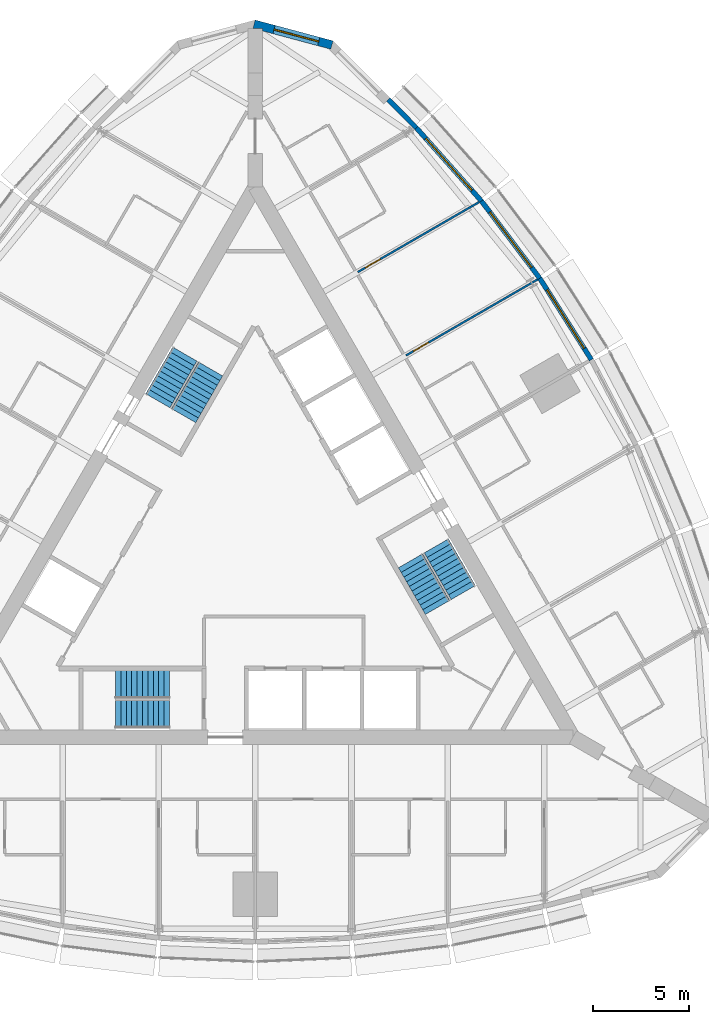
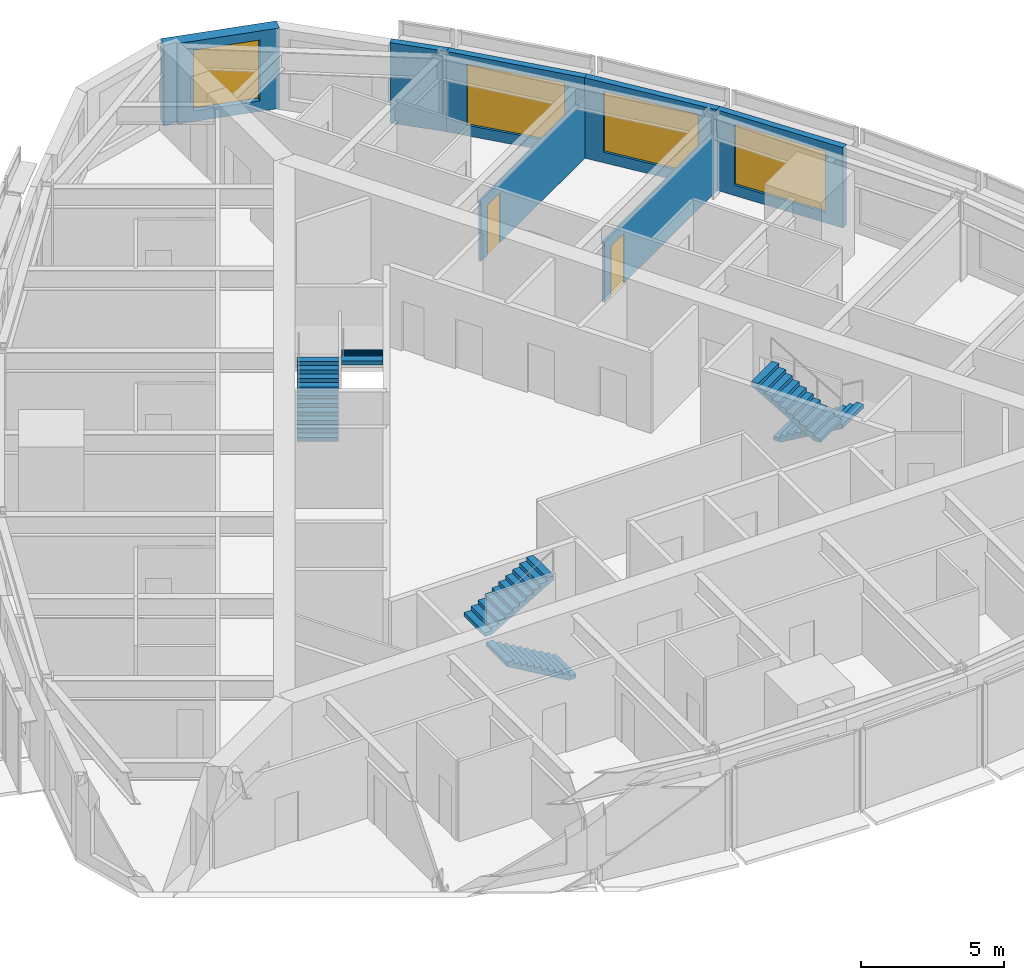
# One storey, part 14 of 15: 7 walls, 6 stair flights, 4 windows, 2 doors, 6 openings, 3 elements without a shape of their own.
"""IFC4 building model written with IfcOpenShell, lengths in metres."""

from ifc_helpers import new_model, si_unit, direction, frame, frame_2d, origin, place, context, subcontext, project, spatial, polyline, rectangle, outline, extrude, material, layer, layer_set, type_object, element, fill, aggregate, save


model = new_model("IFC4")

# Units and contexts
model_context = context("Model", 3, precision=1e-05, world=origin(), true_north=direction((0.0, 1.0)))
body_context = subcontext(model_context, "Body", "Model", "MODEL_VIEW")
ifc_project = project(units=[si_unit("LENGTHUNIT", "METRE"), si_unit("AREAUNIT", "SQUARE_METRE"), si_unit("VOLUMEUNIT", "CUBIC_METRE"), si_unit("PLANEANGLEUNIT", "RADIAN"), si_unit("MASSUNIT", "GRAM", prefix="KILO")], contexts=[model_context])

# Site, building, storey
site_placement = place(None, origin())
site = spatial("IfcSite", under=ifc_project, at=site_placement, CompositionType="ELEMENT")
building_placement = place(site_placement, origin())
building = spatial("IfcBuilding", under=site, at=building_placement, Name="Trikona Tower", CompositionType="ELEMENT")
storey_placement = place(building_placement, frame((0.0, 0.0, 222.5)))
storey = spatial("IfcBuildingStorey", under=building, at=storey_placement, Name="L59", CompositionType="ELEMENT", Elevation=222.5)

# Wall, opening, window
ifc_material_1 = material(Name="Brick-faced precast concrete", Category="masonry")
ifc_layer_1 = layer(ifc_material_1, 0.449951171875)
ifc_layer_set_1 = layer_set([ifc_layer_1], Name="Brick-faced corner wall 450")
wall_type_1 = type_object("IfcWallType", Name="Brick-faced corner wall 450", PredefinedType="SOLIDWALL", material=ifc_layer_set_1)
wall_1_placement = place(storey_placement, frame((3.9833984375, 26.41259765625, 0.0), z_axis=(0.0, 0.0, 1.0), x_axis=(-0.965920442324, 0.258839137498, 0.0)))
wall_1 = element("IfcWall", 1, at=wall_1_placement, inside=storey, type_object=wall_type_1, Name="External wall L59-21", PredefinedType="SOLIDWALL", context=body_context, shape_type="SweptSolid", body=[
    extrude(outline(polyline([(4.18408203125, 0.22509765625), (4.124267578125, 0.22509765625), (3.70556640625, 0.11279296875), (3.675537109375, 0.22509765625), (0.0, 0.22509765625), (0.0, -0.22509765625), (4.18408203125, -0.22509765625), (4.18408203125, 0.22509765625)])), origin(), (0.0, 0.0, 1.0), 3.43505859375),
])
opening_1_placement = place(wall_1_placement, frame((0.712646484375, 0.0, 0.449951171875)))
opening_1 = element("IfcOpeningElement", 2, at=opening_1_placement, cuts=wall_1, Name="Opening W2426", PredefinedType="OPENING", context=body_context, shape_type="SweptSolid", body=[
    extrude(rectangle(XDim=2.39990234375, YDim=2.60009765625, at=frame_2d((1.199951171875, 1.300048828125))), frame((0.0, 0.23486328125, 0.0), z_axis=(0.0, -1.0, 0.0), x_axis=(1.0, 0.0, 0.0)), (0.0, 0.0, 1.0), 0.469970703125),
])
ifc_material_2 = material(Name="Aluminium-framed double glazing", Category="aluminium")
window_type_1 = type_object("IfcWindowType", Name="Window 2400x2600", PartitioningType="SINGLE_PANEL", PredefinedType="WINDOW", material=ifc_material_2)
window_1_placement = place(opening_1_placement, origin())
window_1 = element("IfcWindow", 3, at=window_1_placement, inside=storey, type_object=window_type_1, Name="Window 5908", OverallHeight=2.60009765625, OverallWidth=2.39990234375, PartitioningType="SINGLE_PANEL", PredefinedType="WINDOW", context=body_context, shape_type="SweptSolid", body=[
    extrude(rectangle(XDim=2.39990234375, YDim=2.60009765625, at=frame_2d((1.199951171875, 1.300048828125))), frame((0.0, 0.030029296875, 0.0), z_axis=(0.0, -1.0, 0.0), x_axis=(1.0, 0.0, 0.0)), (0.0, 0.0, 1.0), 0.06005859375),
])
fill(opening_1, window_1)

ifc_material_3 = material(Name="Insulated precast concrete spandrel panel", Category="concrete")
ifc_layer_2 = layer(ifc_material_3, 0.25)
ifc_layer_set_2 = layer_set([ifc_layer_2], Name="Inner skin wall 250")
wall_type_2 = type_object("IfcWallType", Name="Inner skin wall 250", PredefinedType="STANDARD", material=ifc_layer_set_2)
wall_2_placement = place(storey_placement, frame((17.45556640625, 10.072021484375, 0.0), z_axis=(0.0, 0.0, 1.0), x_axis=(-0.535220361449, 0.844712474568, 0.0)))
wall_2 = element("IfcWall", 4, at=wall_2_placement, inside=storey, type_object=wall_type_2, Name="External wall L59-16", PredefinedType="STANDARD", context=body_context, shape_type="SweptSolid", body=[
    extrude(rectangle(XDim=5.00439453125, YDim=0.25, at=frame_2d((2.502197265625, 0.0))), origin(), (0.0, 0.0, 1.0), 3.43505859375),
])
opening_2_placement = place(wall_2_placement, frame((0.7021484375, 0.0, 0.449951171875)))
opening_2 = element("IfcOpeningElement", 5, at=opening_2_placement, cuts=wall_2, Name="Opening W3626", PredefinedType="OPENING", context=body_context, shape_type="SweptSolid", body=[
    extrude(rectangle(XDim=3.60009765625, YDim=2.60009765625, at=frame_2d((1.800048828125, 1.300048828125))), frame((0.0, 0.135009765625, 0.0), z_axis=(0.0, -1.0, 0.0), x_axis=(1.0, 0.0, 0.0)), (0.0, 0.0, 1.0), 0.27001953125),
])
ifc_material_4 = material(Name="Aluminium-framed double glazing", Category="aluminium")
window_type_2 = type_object("IfcWindowType", Name="Window 3600x2600", PartitioningType="SINGLE_PANEL", PredefinedType="WINDOW", material=ifc_material_4)
window_2_placement = place(opening_2_placement, origin())
window_2 = element("IfcWindow", 6, at=window_2_placement, inside=storey, type_object=window_type_2, Name="Window 5907.1", OverallHeight=2.60009765625, OverallWidth=3.60009765625, PartitioningType="SINGLE_PANEL", PredefinedType="WINDOW", context=body_context, shape_type="SweptSolid", body=[
    extrude(rectangle(XDim=3.60009765625, YDim=2.60009765625, at=frame_2d((1.800048828125, 1.300048828125))), frame((0.0, 0.030029296875, 0.0), z_axis=(0.0, -1.0, 0.0), x_axis=(1.0, 0.0, 0.0)), (0.0, 0.0, 1.0), 0.06005859375),
])
fill(opening_2, window_2)

wall_3_placement = place(storey_placement, frame((14.782958984375, 14.290771484375, 0.0), z_axis=(0.0, 0.0, 1.0), x_axis=(-0.602408653511, 0.798187831388, 0.0)))
wall_3 = element("IfcWall", 7, at=wall_3_placement, inside=storey, type_object=wall_type_2, Name="External wall L59-17", PredefinedType="STANDARD", context=body_context, shape_type="SweptSolid", body=[
    extrude(rectangle(XDim=5.037841796875, YDim=0.25, at=frame_2d((2.51904296875, 0.0))), origin(), (0.0, 0.0, 1.0), 3.43505859375),
])
opening_3_placement = place(wall_3_placement, frame((0.718994140625, 0.0, 0.449951171875)))
opening_3 = element("IfcOpeningElement", 8, at=opening_3_placement, cuts=wall_3, Name="Opening W3626", PredefinedType="OPENING", context=body_context, shape_type="SweptSolid", body=[
    extrude(rectangle(XDim=3.60009765625, YDim=2.60009765625, at=frame_2d((1.800048828125, 1.300048828125))), frame((0.0, 0.135009765625, 0.0), z_axis=(0.0, -1.0, 0.0), x_axis=(1.0, 0.0, 0.0)), (0.0, 0.0, 1.0), 0.27001953125),
])
window_3_placement = place(opening_3_placement, origin())
window_3 = element("IfcWindow", 9, at=window_3_placement, inside=storey, type_object=window_type_2, Name="Window 5907", OverallHeight=2.60009765625, OverallWidth=3.60009765625, PartitioningType="SINGLE_PANEL", PredefinedType="WINDOW", context=body_context, shape_type="SweptSolid", body=[
    extrude(rectangle(XDim=3.60009765625, YDim=2.60009765625, at=frame_2d((1.800048828125, 1.300048828125))), frame((0.0, 0.030029296875, 0.0), z_axis=(0.0, -1.0, 0.0), x_axis=(1.0, 0.0, 0.0)), (0.0, 0.0, 1.0), 0.06005859375),
])
fill(opening_3, window_3)

wall_4_placement = place(storey_placement, frame((11.75439453125, 18.304443359375, 0.0), z_axis=(0.0, 0.0, 1.0), x_axis=(-0.664348996191, 0.747422511876, 0.0)))
wall_4 = element("IfcWall", 10, at=wall_4_placement, inside=storey, type_object=wall_type_2, Name="External wall L59-18", PredefinedType="STANDARD", context=body_context, shape_type="SweptSolid", body=[
    extrude(rectangle(XDim=5.104736328125, YDim=0.25, at=frame_2d((2.55224609375, 0.0))), origin(), (0.0, 0.0, 1.0), 3.43505859375),
])
opening_4_placement = place(wall_4_placement, frame((0.75244140625, 0.0, 0.449951171875)))
opening_4 = element("IfcOpeningElement", 11, at=opening_4_placement, cuts=wall_4, Name="Opening W3626", PredefinedType="OPENING", context=body_context, shape_type="SweptSolid", body=[
    extrude(rectangle(XDim=3.60009765625, YDim=2.60009765625, at=frame_2d((1.800048828125, 1.300048828125))), frame((0.0, 0.135009765625, 0.0), z_axis=(0.0, -1.0, 0.0), x_axis=(1.0, 0.0, 0.0)), (0.0, 0.0, 1.0), 0.27001953125),
])
window_4_placement = place(opening_4_placement, origin())
window_4 = element("IfcWindow", 12, at=window_4_placement, inside=storey, type_object=window_type_2, Name="Window 5907.2", OverallHeight=2.60009765625, OverallWidth=3.60009765625, PartitioningType="SINGLE_PANEL", PredefinedType="WINDOW", context=body_context, shape_type="SweptSolid", body=[
    extrude(rectangle(XDim=3.60009765625, YDim=2.60009765625, at=frame_2d((1.800048828125, 1.300048828125))), frame((0.0, 0.030029296875, 0.0), z_axis=(0.0, -1.0, 0.0), x_axis=(1.0, 0.0, 0.0)), (0.0, 0.0, 1.0), 0.06005859375),
])
fill(opening_4, window_4)

# Wall
wall_5_placement = place(storey_placement, frame((8.36767578125, 22.11474609375, 0.0), z_axis=(0.0, 0.0, 1.0), x_axis=(-0.704149946111, 0.710051303352, 0.0)))
element("IfcWall", 13, at=wall_5_placement, inside=storey, type_object=wall_type_2, Name="External wall L59-19", PredefinedType="STANDARD", context=body_context, shape_type="SweptSolid", body=[
    extrude(rectangle(XDim=2.068603515625, YDim=0.25, at=frame_2d((1.0341796875, 0.0))), origin(), (0.0, 0.0, 1.0), 3.43505859375),
])

# Wall, opening, door
ifc_material_5 = material(Name="Metal stud and gypsum board, acoustic", Category="gypsum")
ifc_layer_3 = layer(ifc_material_5, 0.10009765625)
ifc_layer_set_3 = layer_set([ifc_layer_3], Name="Suite partition 100")
wall_type_3 = type_object("IfcWallType", Name="Suite partition 100", PredefinedType="PARTITIONING", material=ifc_layer_set_3)
wall_6_placement = place(storey_placement, frame((7.82861328125, 10.293212890625, 0.0), z_axis=(0.0, 0.0, 1.0), x_axis=(0.866030558329, 0.49999107196, 0.0)))
wall_6 = element("IfcWall", 14, at=wall_6_placement, inside=storey, type_object=wall_type_3, Name="Suite partition L59 F2 u5", PredefinedType="PARTITIONING", context=body_context, shape_type="SweptSolid", body=[
    extrude(rectangle(XDim=7.893798828125, YDim=0.10009765625, at=frame_2d((3.94677734375, 0.0))), origin(), (0.0, 0.0, 1.0), 2.589111328125),
])
opening_5_placement = place(wall_6_placement, frame((0.449951171875, 0.0, 0.0)))
opening_5 = element("IfcOpeningElement", 15, at=opening_5_placement, cuts=wall_6, Name="Opening D13", PredefinedType="OPENING", context=body_context, shape_type="SweptSolid", body=[
    extrude(rectangle(XDim=0.89990234375, YDim=2.1298828125, at=frame_2d((0.449951171875, 1.06494140625))), frame((0.0, 0.06005859375, 0.0), z_axis=(0.0, -1.0, 0.0), x_axis=(1.0, 0.0, 0.0)), (0.0, 0.0, 1.0), 0.1201171875),
])
ifc_material_6 = material(Name="Steel door frame with solid-core timber leaf", Category="steel")
door_type = type_object("IfcDoorType", Name="Suite door 900x2130", OperationType="SINGLE_SWING_LEFT", PredefinedType="DOOR", material=ifc_material_6)
door_1_placement = place(opening_5_placement, origin())
door_1 = element("IfcDoor", 16, at=door_1_placement, inside=storey, type_object=door_type, Name="Suite door 5907", OperationType="SINGLE_SWING_LEFT", OverallHeight=2.1298828125, OverallWidth=0.89990234375, PredefinedType="DOOR", context=body_context, shape_type="SweptSolid", body=[
    extrude(rectangle(XDim=0.89990234375, YDim=2.1298828125, at=frame_2d((0.449951171875, 1.06494140625))), frame((0.0, 0.02490234375, 0.0), z_axis=(0.0, -1.0, 0.0), x_axis=(1.0, 0.0, 0.0)), (0.0, 0.0, 1.0), 0.050048828125),
])
fill(opening_5, door_1)

wall_7_placement = place(storey_placement, frame((5.32861328125, 14.623291015625, 0.0), z_axis=(0.0, 0.0, 1.0), x_axis=(0.866017877653, 0.500013035415, 0.0)))
wall_7 = element("IfcWall", 17, at=wall_7_placement, inside=storey, type_object=wall_type_3, Name="Suite partition L59 F2 u10", PredefinedType="PARTITIONING", context=body_context, shape_type="SweptSolid", body=[
    extrude(rectangle(XDim=7.272705078125, YDim=0.10009765625, at=frame_2d((3.63623046875, 0.0))), origin(), (0.0, 0.0, 1.0), 2.589111328125),
])
opening_6_placement = place(wall_7_placement, frame((0.449951171875, 0.0, 0.0)))
opening_6 = element("IfcOpeningElement", 18, at=opening_6_placement, cuts=wall_7, Name="Opening D13", PredefinedType="OPENING", context=body_context, shape_type="SweptSolid", body=[
    extrude(rectangle(XDim=0.89990234375, YDim=2.1298828125, at=frame_2d((0.449951171875, 1.06494140625))), frame((0.0, 0.06005859375, 0.0), z_axis=(0.0, -1.0, 0.0), x_axis=(1.0, 0.0, 0.0)), (0.0, 0.0, 1.0), 0.1201171875),
])
door_2_placement = place(opening_6_placement, origin())
door_2 = element("IfcDoor", 19, at=door_2_placement, inside=storey, type_object=door_type, Name="Suite door 5907", OperationType="SINGLE_SWING_LEFT", OverallHeight=2.1298828125, OverallWidth=0.89990234375, PredefinedType="DOOR", context=body_context, shape_type="SweptSolid", body=[
    extrude(rectangle(XDim=0.89990234375, YDim=2.1298828125, at=frame_2d((0.449951171875, 1.06494140625))), frame((0.0, 0.02490234375, 0.0), z_axis=(0.0, -1.0, 0.0), x_axis=(1.0, 0.0, 0.0)), (0.0, 0.0, 1.0), 0.050048828125),
])
fill(opening_6, door_2)

# Stair, stair flights
ifc_material_7 = material(Name="Concrete f'c 5000 psi", Category="concrete")
stair_type = type_object("IfcStairType", Name="Core stair", PredefinedType="HALF_TURN_STAIR", material=ifc_material_7)
stair_1_placement = place(storey_placement, origin())
stair_1 = element("IfcStair", 20, at=stair_1_placement, inside=storey, type_object=stair_type, Name="Stair A L59", PredefinedType="HALF_TURN_STAIR")
ifc_material_8 = material(Name="Concrete f'c 5000 psi", Category="concrete")
stair_flight_type = type_object("IfcStairFlightType", Name="Core stair flight 1450", PredefinedType="STRAIGHT", material=ifc_material_8)
stair_flight_1_placement = place(storey_placement, frame((-4.449951171875, -8.351318359375, 0.0), z_axis=(0.0, 0.0, 1.0), x_axis=(-1.0, 0.0, 0.0)))
stair_flight_1 = element("IfcStairFlight", 21, at=stair_flight_1_placement, type_object=stair_flight_type, Name="ST-A flight 1", NumberOfRisers=11, NumberOfTreads=10, PredefinedType="STRAIGHT", RiserHeight=0.163636, TreadLength=0.28, context=body_context, shape_type="SweptSolid", body=[
    extrude(outline(polyline([(0.0, 0.0), (0.0, 0.16357421875), (0.280029296875, 0.16357421875), (0.280029296875, 0.327392578125), (0.56005859375, 0.327392578125), (0.56005859375, 0.490966796875), (0.840087890625, 0.490966796875), (0.840087890625, 0.654541015625), (1.1201171875, 0.654541015625), (1.1201171875, 0.818115234375), (1.39990234375, 0.818115234375), (1.39990234375, 0.98193359375), (1.679931640625, 0.98193359375), (1.679931640625, 1.1455078125), (1.9599609375, 1.1455078125), (1.9599609375, 1.30908203125), (2.239990234375, 1.30908203125), (2.239990234375, 1.47265625), (2.52001953125, 1.47265625), (2.52001953125, 1.636474609375), (2.800048828125, 1.636474609375), (2.800048828125, 1.800048828125), (2.800048828125, 1.462646484375), (0.297119140625, 0.0), (0.0, 0.0)])), frame((0.0, 0.72509765625, 0.0), z_axis=(0.0, -1.0, 0.0), x_axis=(1.0, 0.0, 0.0)), (0.0, 0.0, 1.0), 1.449951171875),
])
stair_flight_2_placement = place(storey_placement, frame((-7.25, -6.80126953125, 1.800048828125), z_axis=(0.0, 0.0, 1.0), x_axis=(1.0, 0.0, 0.0)))
stair_flight_2 = element("IfcStairFlight", 22, at=stair_flight_2_placement, type_object=stair_flight_type, Name="ST-A flight 2", NumberOfRisers=11, NumberOfTreads=10, PredefinedType="STRAIGHT", RiserHeight=0.163636, TreadLength=0.28, context=body_context, shape_type="SweptSolid", body=[
    extrude(outline(polyline([(0.0, 0.0), (0.0, 0.16357421875), (0.280029296875, 0.16357421875), (0.280029296875, 0.327392578125), (0.56005859375, 0.327392578125), (0.56005859375, 0.490966796875), (0.840087890625, 0.490966796875), (0.840087890625, 0.654541015625), (1.1201171875, 0.654541015625), (1.1201171875, 0.818115234375), (1.39990234375, 0.818115234375), (1.39990234375, 0.98193359375), (1.679931640625, 0.98193359375), (1.679931640625, 1.1455078125), (1.9599609375, 1.1455078125), (1.9599609375, 1.30908203125), (2.239990234375, 1.30908203125), (2.239990234375, 1.47265625), (2.52001953125, 1.47265625), (2.52001953125, 1.636474609375), (2.800048828125, 1.636474609375), (2.800048828125, 1.800048828125), (2.800048828125, 1.462646484375), (0.297119140625, 0.0), (0.0, 0.0)])), frame((0.0, 0.72509765625, 0.0), z_axis=(0.0, -1.0, 0.0), x_axis=(1.0, 0.0, 0.0)), (0.0, 0.0, 1.0), 1.449951171875),
])
aggregate(stair_1, [stair_flight_1, stair_flight_2])

stair_2_placement = place(storey_placement, origin())
stair_2 = element("IfcStair", 23, at=stair_2_placement, inside=storey, type_object=stair_type, Name="Stair B L59", PredefinedType="HALF_TURN_STAIR")
stair_flight_3_placement = place(storey_placement, frame((9.407470703125, 0.408447265625, 0.0), z_axis=(0.0, 0.0, 1.0), x_axis=(0.5, -0.866025403784, 0.0)))
stair_flight_3 = element("IfcStairFlight", 24, at=stair_flight_3_placement, type_object=stair_flight_type, Name="ST-B flight 1", NumberOfRisers=11, NumberOfTreads=10, PredefinedType="STRAIGHT", RiserHeight=0.163636, TreadLength=0.28, context=body_context, shape_type="SweptSolid", body=[
    extrude(outline(polyline([(0.0, 0.0), (0.0, 0.16357421875), (0.280029296875, 0.16357421875), (0.280029296875, 0.327392578125), (0.56005859375, 0.327392578125), (0.56005859375, 0.490966796875), (0.840087890625, 0.490966796875), (0.840087890625, 0.654541015625), (1.1201171875, 0.654541015625), (1.1201171875, 0.818115234375), (1.39990234375, 0.818115234375), (1.39990234375, 0.98193359375), (1.679931640625, 0.98193359375), (1.679931640625, 1.1455078125), (1.9599609375, 1.1455078125), (1.9599609375, 1.30908203125), (2.239990234375, 1.30908203125), (2.239990234375, 1.47265625), (2.52001953125, 1.47265625), (2.52001953125, 1.636474609375), (2.800048828125, 1.636474609375), (2.800048828125, 1.800048828125), (2.800048828125, 1.462646484375), (0.297119140625, 0.0), (0.0, 0.0)])), frame((0.0, 0.72509765625, 0.0), z_axis=(0.0, -1.0, 0.0), x_axis=(1.0, 0.0, 0.0)), (0.0, 0.0, 1.0), 1.449951171875),
])
stair_flight_4_placement = place(storey_placement, frame((9.465087890625, -2.79150390625, 1.800048828125), z_axis=(0.0, 0.0, 1.0), x_axis=(-0.5, 0.866025403784, 0.0)))
stair_flight_4 = element("IfcStairFlight", 25, at=stair_flight_4_placement, type_object=stair_flight_type, Name="ST-B flight 2", NumberOfRisers=11, NumberOfTreads=10, PredefinedType="STRAIGHT", RiserHeight=0.163636, TreadLength=0.28, context=body_context, shape_type="SweptSolid", body=[
    extrude(outline(polyline([(0.0, 0.0), (0.0, 0.16357421875), (0.280029296875, 0.16357421875), (0.280029296875, 0.327392578125), (0.56005859375, 0.327392578125), (0.56005859375, 0.490966796875), (0.840087890625, 0.490966796875), (0.840087890625, 0.654541015625), (1.1201171875, 0.654541015625), (1.1201171875, 0.818115234375), (1.39990234375, 0.818115234375), (1.39990234375, 0.98193359375), (1.679931640625, 0.98193359375), (1.679931640625, 1.1455078125), (1.9599609375, 1.1455078125), (1.9599609375, 1.30908203125), (2.239990234375, 1.30908203125), (2.239990234375, 1.47265625), (2.52001953125, 1.47265625), (2.52001953125, 1.636474609375), (2.800048828125, 1.636474609375), (2.800048828125, 1.800048828125), (2.800048828125, 1.462646484375), (0.297119140625, 0.0), (0.0, 0.0)])), frame((0.0, 0.72509765625, 0.0), z_axis=(0.0, -1.0, 0.0), x_axis=(1.0, 0.0, 0.0)), (0.0, 0.0, 1.0), 1.449951171875),
])
aggregate(stair_2, [stair_flight_3, stair_flight_4])

stair_3_placement = place(storey_placement, origin())
stair_3 = element("IfcStair", 26, at=stair_3_placement, inside=storey, type_object=stair_type, Name="Stair C L59", PredefinedType="HALF_TURN_STAIR")
stair_flight_5_placement = place(storey_placement, frame((-5.057373046875, 7.94287109375, 0.0), z_axis=(0.0, 0.0, 1.0), x_axis=(0.5, 0.866025403784, 0.0)))
stair_flight_5 = element("IfcStairFlight", 27, at=stair_flight_5_placement, type_object=stair_flight_type, Name="ST-C flight 1", NumberOfRisers=11, NumberOfTreads=10, PredefinedType="STRAIGHT", RiserHeight=0.163636, TreadLength=0.28, context=body_context, shape_type="SweptSolid", body=[
    extrude(outline(polyline([(0.0, 0.0), (0.0, 0.16357421875), (0.280029296875, 0.16357421875), (0.280029296875, 0.327392578125), (0.56005859375, 0.327392578125), (0.56005859375, 0.490966796875), (0.840087890625, 0.490966796875), (0.840087890625, 0.654541015625), (1.1201171875, 0.654541015625), (1.1201171875, 0.818115234375), (1.39990234375, 0.818115234375), (1.39990234375, 0.98193359375), (1.679931640625, 0.98193359375), (1.679931640625, 1.1455078125), (1.9599609375, 1.1455078125), (1.9599609375, 1.30908203125), (2.239990234375, 1.30908203125), (2.239990234375, 1.47265625), (2.52001953125, 1.47265625), (2.52001953125, 1.636474609375), (2.800048828125, 1.636474609375), (2.800048828125, 1.800048828125), (2.800048828125, 1.462646484375), (0.297119140625, 0.0), (0.0, 0.0)])), frame((0.0, 0.72509765625, 0.0), z_axis=(0.0, -1.0, 0.0), x_axis=(1.0, 0.0, 0.0)), (0.0, 0.0, 1.0), 1.449951171875),
])
stair_flight_6_placement = place(storey_placement, frame((-2.315185546875, 9.5927734375, 1.800048828125), z_axis=(0.0, 0.0, 1.0), x_axis=(-0.5, -0.866025403784, 0.0)))
stair_flight_6 = element("IfcStairFlight", 28, at=stair_flight_6_placement, type_object=stair_flight_type, Name="ST-C flight 2", NumberOfRisers=11, NumberOfTreads=10, PredefinedType="STRAIGHT", RiserHeight=0.163636, TreadLength=0.28, context=body_context, shape_type="SweptSolid", body=[
    extrude(outline(polyline([(0.0, 0.0), (0.0, 0.16357421875), (0.280029296875, 0.16357421875), (0.280029296875, 0.327392578125), (0.56005859375, 0.327392578125), (0.56005859375, 0.490966796875), (0.840087890625, 0.490966796875), (0.840087890625, 0.654541015625), (1.1201171875, 0.654541015625), (1.1201171875, 0.818115234375), (1.39990234375, 0.818115234375), (1.39990234375, 0.98193359375), (1.679931640625, 0.98193359375), (1.679931640625, 1.1455078125), (1.9599609375, 1.1455078125), (1.9599609375, 1.30908203125), (2.239990234375, 1.30908203125), (2.239990234375, 1.47265625), (2.52001953125, 1.47265625), (2.52001953125, 1.636474609375), (2.800048828125, 1.636474609375), (2.800048828125, 1.800048828125), (2.800048828125, 1.462646484375), (0.297119140625, 0.0), (0.0, 0.0)])), frame((0.0, 0.72509765625, 0.0), z_axis=(0.0, -1.0, 0.0), x_axis=(1.0, 0.0, 0.0)), (0.0, 0.0, 1.0), 1.449951171875),
])
aggregate(stair_3, [stair_flight_5, stair_flight_6])

save(model, "model.ifc")
